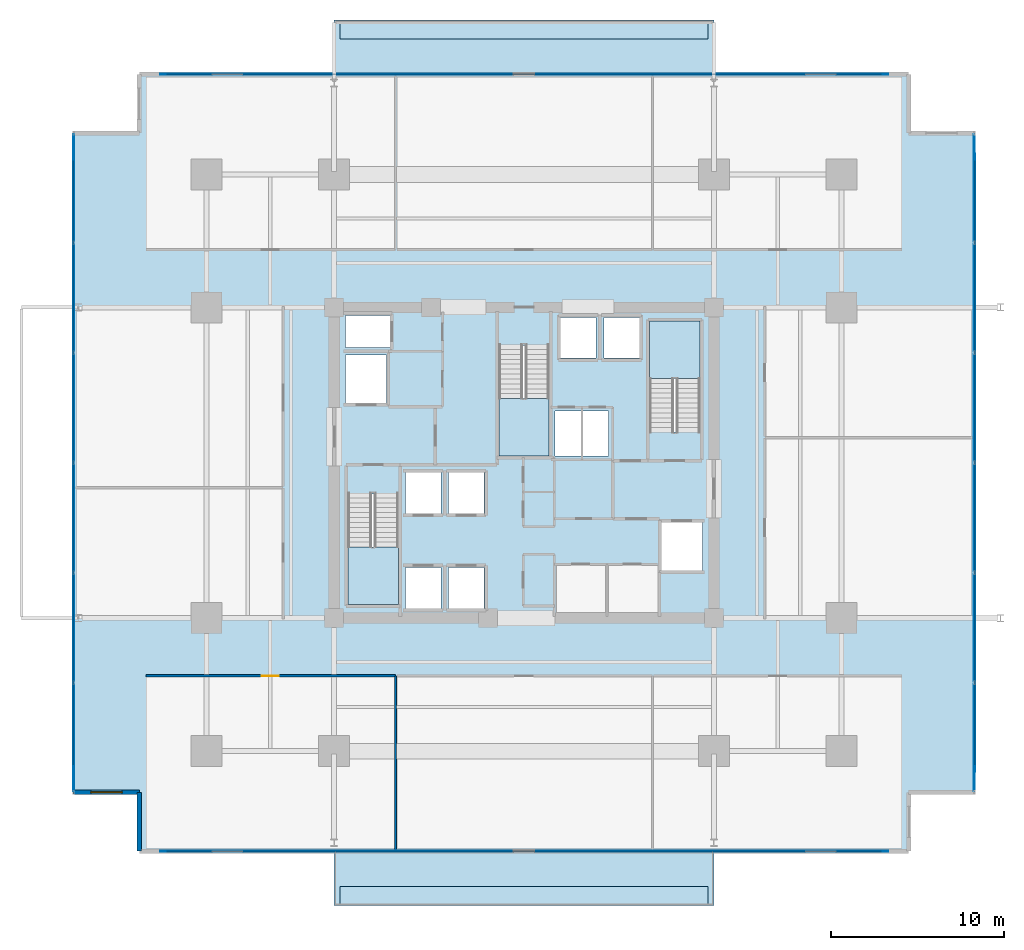
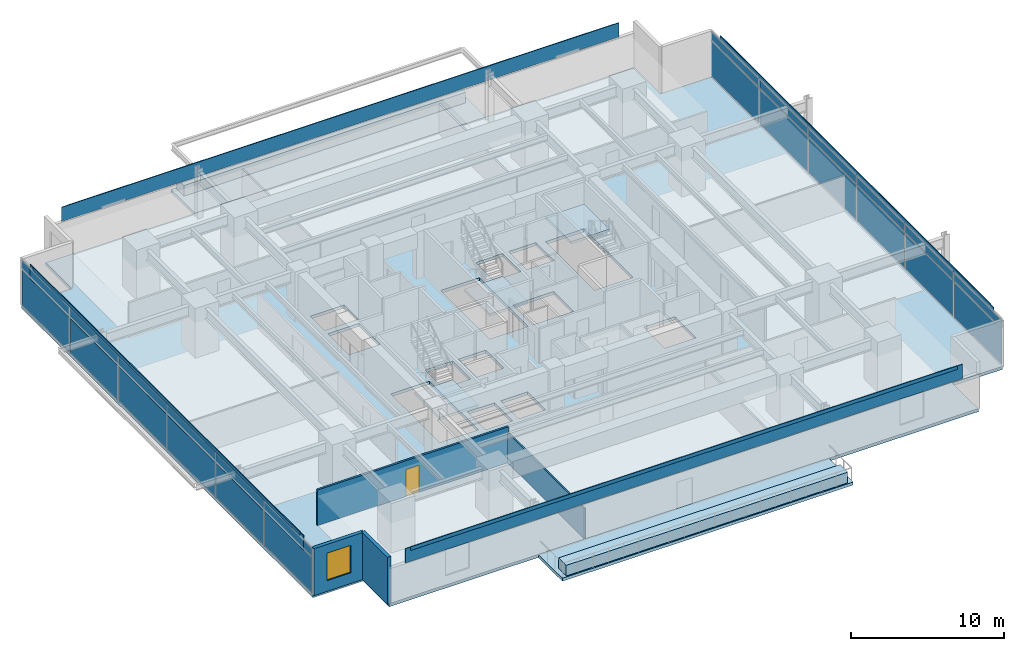
# One storey, part 14 of 22: 32 plates, 8 slabs, 4 walls, 1 door, 1 window, 2 openings, 5 elements without a shape of their own.
"""IFC4 building model written with IfcOpenShell, lengths in metres."""

from ifc_helpers import new_model, si_unit, direction, frame, frame_2d, origin, origin_2d, place, context, subcontext, project, spatial, polyline, rectangle, outline, extrude, material, layer, layer_set, type_object, element, fill, aggregate, save


model = new_model("IFC4")

# Units and contexts
model_context = context("Model", 3, precision=1e-05, world=origin(), true_north=direction((0.0, 1.0)))
body_context = subcontext(model_context, "Body", "Model", "MODEL_VIEW")
ifc_project = project(units=[si_unit("LENGTHUNIT", "METRE"), si_unit("AREAUNIT", "SQUARE_METRE"), si_unit("VOLUMEUNIT", "CUBIC_METRE"), si_unit("PLANEANGLEUNIT", "RADIAN"), si_unit("MASSUNIT", "GRAM", prefix="KILO")], contexts=[model_context])

# Site, building, storey
site_placement = place(None, origin())
site = spatial("IfcSite", under=ifc_project, at=site_placement, CompositionType="ELEMENT")
building_placement = place(site_placement, origin())
building = spatial("IfcBuilding", under=site, at=building_placement, Name="Kovane Verandah Tower", CompositionType="ELEMENT")
storey_placement = place(building_placement, frame((0.0, 0.0, 71.60009765625)))
storey = spatial("IfcBuildingStorey", under=building, at=storey_placement, Name="L16", CompositionType="ELEMENT", Elevation=71.60009765625)

# Curtain wall, plates
ifc_material_1 = material(Name="Champagne Anodised Aluminium Frame with Low-E Clear Laminated Glass", Category="aluminium")
curtain_wall_type = type_object("IfcCurtainWallType", Name="CW-SYS-02-LOW", PredefinedType="NOTDEFINED", material=ifc_material_1)
curtain_wall_1_placement = place(storey_placement, origin())
curtain_wall_1 = element("IfcCurtainWall", 1, at=curtain_wall_1_placement, inside=storey, type_object=curtain_wall_type, Name="L16 E Unitised Curtain Wall", PredefinedType="NOTDEFINED")
ifc_material_2 = material(Name="Pale Champagne Anodised Aluminium Insulated Spandrel", Category="aluminium")
ifc_layer_1 = layer(ifc_material_2, 0.0400390625)
ifc_layer_set_1 = layer_set([ifc_layer_1], Name="Pale Champagne Anodised Aluminium Insulated Spandrel")
plate_type_1 = type_object("IfcPlateType", Name="PL-CW-SPD-40", PredefinedType="SHEET", material=ifc_layer_set_1)
plate_1_placement = place(storey_placement, frame((66.08642578125, 11.5830078125, 3.02978515625), z_axis=(0.0, 0.0, 1.0), x_axis=(0.0, 1.0, 0.0)))
plate_1 = element("IfcPlate", 2, at=plate_1_placement, type_object=plate_type_1, Name="L16 E Unitised Curtain Wall Spandrel Panel 1", PredefinedType="SHEET", context=body_context, shape_type="SweptSolid", body=[
    extrude(rectangle(XDim=6.226806640625, YDim=0.0400390625, at=origin_2d()), origin(), (0.0, 0.0, 1.0), 0.639892578125),
])
plate_2_placement = place(storey_placement, frame((66.08642578125, 17.94970703125, 3.02978515625), z_axis=(0.0, 0.0, 1.0), x_axis=(0.0, 1.0, 0.0)))
plate_2 = element("IfcPlate", 3, at=plate_2_placement, type_object=plate_type_1, Name="L16 E Unitised Curtain Wall Spandrel Panel 2", PredefinedType="SHEET", context=body_context, shape_type="SweptSolid", body=[
    extrude(rectangle(XDim=6.226806640625, YDim=0.0400390625, at=origin_2d()), origin(), (0.0, 0.0, 1.0), 0.639892578125),
])
plate_3_placement = place(storey_placement, frame((66.08642578125, 24.316650390625, 3.02978515625), z_axis=(0.0, 0.0, 1.0), x_axis=(0.0, 1.0, 0.0)))
plate_3 = element("IfcPlate", 4, at=plate_3_placement, type_object=plate_type_1, Name="L16 E Unitised Curtain Wall Spandrel Panel 3", PredefinedType="SHEET", context=body_context, shape_type="SweptSolid", body=[
    extrude(rectangle(XDim=6.226806640625, YDim=0.0400390625, at=origin_2d()), origin(), (0.0, 0.0, 1.0), 0.639892578125),
])
plate_4_placement = place(storey_placement, frame((66.08642578125, 30.683349609375, 3.02978515625), z_axis=(0.0, 0.0, 1.0), x_axis=(0.0, 1.0, 0.0)))
plate_4 = element("IfcPlate", 5, at=plate_4_placement, type_object=plate_type_1, Name="L16 E Unitised Curtain Wall Spandrel Panel 4", PredefinedType="SHEET", context=body_context, shape_type="SweptSolid", body=[
    extrude(rectangle(XDim=6.226806640625, YDim=0.0400390625, at=origin_2d()), origin(), (0.0, 0.0, 1.0), 0.639892578125),
])
plate_5_placement = place(storey_placement, frame((66.08642578125, 37.05029296875, 3.02978515625), z_axis=(0.0, 0.0, 1.0), x_axis=(0.0, 1.0, 0.0)))
plate_5 = element("IfcPlate", 6, at=plate_5_placement, type_object=plate_type_1, Name="L16 E Unitised Curtain Wall Spandrel Panel 5", PredefinedType="SHEET", context=body_context, shape_type="SweptSolid", body=[
    extrude(rectangle(XDim=6.226806640625, YDim=0.0400390625, at=origin_2d()), origin(), (0.0, 0.0, 1.0), 0.639892578125),
])
plate_6_placement = place(storey_placement, frame((66.08642578125, 43.4169921875, 3.02978515625), z_axis=(0.0, 0.0, 1.0), x_axis=(0.0, 1.0, 0.0)))
plate_6 = element("IfcPlate", 7, at=plate_6_placement, type_object=plate_type_1, Name="L16 E Unitised Curtain Wall Spandrel Panel 6", PredefinedType="SHEET", context=body_context, shape_type="SweptSolid", body=[
    extrude(rectangle(XDim=6.226806640625, YDim=0.0400390625, at=origin_2d()), origin(), (0.0, 0.0, 1.0), 0.639892578125),
])

curtain_wall_2_placement = place(storey_placement, origin())
curtain_wall_2 = element("IfcCurtainWall", 8, at=curtain_wall_2_placement, inside=storey, type_object=curtain_wall_type, Name="L16 W Unitised Curtain Wall", PredefinedType="NOTDEFINED")
plate_7_placement = place(storey_placement, frame((13.91357421875, 43.4169921875, 3.02978515625), z_axis=(0.0, 0.0, 1.0), x_axis=(0.0, -1.0, 0.0)))
plate_7 = element("IfcPlate", 9, at=plate_7_placement, type_object=plate_type_1, Name="L16 W Unitised Curtain Wall Spandrel Panel 1", PredefinedType="SHEET", context=body_context, shape_type="SweptSolid", body=[
    extrude(rectangle(XDim=6.226806640625, YDim=0.0400390625, at=origin_2d()), origin(), (0.0, 0.0, 1.0), 0.639892578125),
])
plate_8_placement = place(storey_placement, frame((13.91357421875, 37.05029296875, 3.02978515625), z_axis=(0.0, 0.0, 1.0), x_axis=(0.0, -1.0, 0.0)))
plate_8 = element("IfcPlate", 10, at=plate_8_placement, type_object=plate_type_1, Name="L16 W Unitised Curtain Wall Spandrel Panel 2", PredefinedType="SHEET", context=body_context, shape_type="SweptSolid", body=[
    extrude(rectangle(XDim=6.226806640625, YDim=0.0400390625, at=origin_2d()), origin(), (0.0, 0.0, 1.0), 0.639892578125),
])
plate_9_placement = place(storey_placement, frame((13.91357421875, 30.683349609375, 3.02978515625), z_axis=(0.0, 0.0, 1.0), x_axis=(0.0, -1.0, 0.0)))
plate_9 = element("IfcPlate", 11, at=plate_9_placement, type_object=plate_type_1, Name="L16 W Unitised Curtain Wall Spandrel Panel 3", PredefinedType="SHEET", context=body_context, shape_type="SweptSolid", body=[
    extrude(rectangle(XDim=6.226806640625, YDim=0.0400390625, at=origin_2d()), origin(), (0.0, 0.0, 1.0), 0.639892578125),
])
plate_10_placement = place(storey_placement, frame((13.91357421875, 24.316650390625, 3.02978515625), z_axis=(0.0, 0.0, 1.0), x_axis=(0.0, -1.0, 0.0)))
plate_10 = element("IfcPlate", 12, at=plate_10_placement, type_object=plate_type_1, Name="L16 W Unitised Curtain Wall Spandrel Panel 4", PredefinedType="SHEET", context=body_context, shape_type="SweptSolid", body=[
    extrude(rectangle(XDim=6.226806640625, YDim=0.0400390625, at=origin_2d()), origin(), (0.0, 0.0, 1.0), 0.639892578125),
])
plate_11_placement = place(storey_placement, frame((13.91357421875, 17.94970703125, 3.02978515625), z_axis=(0.0, 0.0, 1.0), x_axis=(0.0, -1.0, 0.0)))
plate_11 = element("IfcPlate", 13, at=plate_11_placement, type_object=plate_type_1, Name="L16 W Unitised Curtain Wall Spandrel Panel 5", PredefinedType="SHEET", context=body_context, shape_type="SweptSolid", body=[
    extrude(rectangle(XDim=6.226806640625, YDim=0.0400390625, at=origin_2d()), origin(), (0.0, 0.0, 1.0), 0.639892578125),
])
plate_12_placement = place(storey_placement, frame((13.91357421875, 11.5830078125, 3.02978515625), z_axis=(0.0, 0.0, 1.0), x_axis=(0.0, -1.0, 0.0)))
plate_12 = element("IfcPlate", 14, at=plate_12_placement, type_object=plate_type_1, Name="L16 W Unitised Curtain Wall Spandrel Panel 6", PredefinedType="SHEET", context=body_context, shape_type="SweptSolid", body=[
    extrude(rectangle(XDim=6.226806640625, YDim=0.0400390625, at=origin_2d()), origin(), (0.0, 0.0, 1.0), 0.639892578125),
])

# Plate
ifc_material_3 = material(Name="Clear Low-E Laminated Double Glazing", Category="glass")
ifc_layer_2 = layer(ifc_material_3, 0.031982421875)
ifc_layer_set_2 = layer_set([ifc_layer_2], Name="Clear Low-E Laminated Double Glazing")
plate_type_2 = type_object("IfcPlateType", Name="PL-CW-VIS-32", PredefinedType="CURTAIN_PANEL", material=ifc_layer_set_2)
plate_13_placement = place(storey_placement, frame((66.08642578125, 11.5830078125, 0.099853515625), z_axis=(0.0, 0.0, 1.0), x_axis=(0.0, 1.0, 0.0)))
plate_13 = element("IfcPlate", 15, at=plate_13_placement, type_object=plate_type_2, Name="L16 E Unitised Curtain Wall Vision Panel 1", PredefinedType="CURTAIN_PANEL", context=body_context, shape_type="SweptSolid", body=[
    extrude(rectangle(XDim=6.226806640625, YDim=0.031982421875, at=origin_2d()), origin(), (0.0, 0.0, 1.0), 2.830078125),
])

plate_14_placement = place(storey_placement, frame((66.08642578125, 17.94970703125, 0.099853515625), z_axis=(0.0, 0.0, 1.0), x_axis=(0.0, 1.0, 0.0)))
plate_14 = element("IfcPlate", 16, at=plate_14_placement, type_object=plate_type_2, Name="L16 E Unitised Curtain Wall Vision Panel 2", PredefinedType="CURTAIN_PANEL", context=body_context, shape_type="SweptSolid", body=[
    extrude(rectangle(XDim=6.226806640625, YDim=0.031982421875, at=origin_2d()), origin(), (0.0, 0.0, 1.0), 2.830078125),
])

plate_15_placement = place(storey_placement, frame((66.08642578125, 24.316650390625, 0.099853515625), z_axis=(0.0, 0.0, 1.0), x_axis=(0.0, 1.0, 0.0)))
plate_15 = element("IfcPlate", 17, at=plate_15_placement, type_object=plate_type_2, Name="L16 E Unitised Curtain Wall Vision Panel 3", PredefinedType="CURTAIN_PANEL", context=body_context, shape_type="SweptSolid", body=[
    extrude(rectangle(XDim=6.226806640625, YDim=0.031982421875, at=origin_2d()), origin(), (0.0, 0.0, 1.0), 2.830078125),
])

plate_16_placement = place(storey_placement, frame((66.08642578125, 30.683349609375, 0.099853515625), z_axis=(0.0, 0.0, 1.0), x_axis=(0.0, 1.0, 0.0)))
plate_16 = element("IfcPlate", 18, at=plate_16_placement, type_object=plate_type_2, Name="L16 E Unitised Curtain Wall Vision Panel 4", PredefinedType="CURTAIN_PANEL", context=body_context, shape_type="SweptSolid", body=[
    extrude(rectangle(XDim=6.226806640625, YDim=0.031982421875, at=origin_2d()), origin(), (0.0, 0.0, 1.0), 2.830078125),
])

plate_17_placement = place(storey_placement, frame((66.08642578125, 37.05029296875, 0.099853515625), z_axis=(0.0, 0.0, 1.0), x_axis=(0.0, 1.0, 0.0)))
plate_17 = element("IfcPlate", 19, at=plate_17_placement, type_object=plate_type_2, Name="L16 E Unitised Curtain Wall Vision Panel 5", PredefinedType="CURTAIN_PANEL", context=body_context, shape_type="SweptSolid", body=[
    extrude(rectangle(XDim=6.226806640625, YDim=0.031982421875, at=origin_2d()), origin(), (0.0, 0.0, 1.0), 2.830078125),
])

plate_18_placement = place(storey_placement, frame((66.08642578125, 43.4169921875, 0.099853515625), z_axis=(0.0, 0.0, 1.0), x_axis=(0.0, 1.0, 0.0)))
plate_18 = element("IfcPlate", 20, at=plate_18_placement, type_object=plate_type_2, Name="L16 E Unitised Curtain Wall Vision Panel 6", PredefinedType="CURTAIN_PANEL", context=body_context, shape_type="SweptSolid", body=[
    extrude(rectangle(XDim=6.226806640625, YDim=0.031982421875, at=origin_2d()), origin(), (0.0, 0.0, 1.0), 2.830078125),
])

aggregate(curtain_wall_1, [plate_13, plate_1, plate_14, plate_2, plate_15, plate_3, plate_16, plate_4, plate_17, plate_5, plate_18, plate_6])

plate_19_placement = place(storey_placement, frame((13.91357421875, 43.4169921875, 0.099853515625), z_axis=(0.0, 0.0, 1.0), x_axis=(0.0, -1.0, 0.0)))
plate_19 = element("IfcPlate", 21, at=plate_19_placement, type_object=plate_type_2, Name="L16 W Unitised Curtain Wall Vision Panel 1", PredefinedType="CURTAIN_PANEL", context=body_context, shape_type="SweptSolid", body=[
    extrude(rectangle(XDim=6.226806640625, YDim=0.031982421875, at=origin_2d()), origin(), (0.0, 0.0, 1.0), 2.830078125),
])

plate_20_placement = place(storey_placement, frame((13.91357421875, 37.05029296875, 0.099853515625), z_axis=(0.0, 0.0, 1.0), x_axis=(0.0, -1.0, 0.0)))
plate_20 = element("IfcPlate", 22, at=plate_20_placement, type_object=plate_type_2, Name="L16 W Unitised Curtain Wall Vision Panel 2", PredefinedType="CURTAIN_PANEL", context=body_context, shape_type="SweptSolid", body=[
    extrude(rectangle(XDim=6.226806640625, YDim=0.031982421875, at=origin_2d()), origin(), (0.0, 0.0, 1.0), 2.830078125),
])

plate_21_placement = place(storey_placement, frame((13.91357421875, 30.683349609375, 0.099853515625), z_axis=(0.0, 0.0, 1.0), x_axis=(0.0, -1.0, 0.0)))
plate_21 = element("IfcPlate", 23, at=plate_21_placement, type_object=plate_type_2, Name="L16 W Unitised Curtain Wall Vision Panel 3", PredefinedType="CURTAIN_PANEL", context=body_context, shape_type="SweptSolid", body=[
    extrude(rectangle(XDim=6.226806640625, YDim=0.031982421875, at=origin_2d()), origin(), (0.0, 0.0, 1.0), 2.830078125),
])

plate_22_placement = place(storey_placement, frame((13.91357421875, 24.316650390625, 0.099853515625), z_axis=(0.0, 0.0, 1.0), x_axis=(0.0, -1.0, 0.0)))
plate_22 = element("IfcPlate", 24, at=plate_22_placement, type_object=plate_type_2, Name="L16 W Unitised Curtain Wall Vision Panel 4", PredefinedType="CURTAIN_PANEL", context=body_context, shape_type="SweptSolid", body=[
    extrude(rectangle(XDim=6.226806640625, YDim=0.031982421875, at=origin_2d()), origin(), (0.0, 0.0, 1.0), 2.830078125),
])

plate_23_placement = place(storey_placement, frame((13.91357421875, 17.94970703125, 0.099853515625), z_axis=(0.0, 0.0, 1.0), x_axis=(0.0, -1.0, 0.0)))
plate_23 = element("IfcPlate", 25, at=plate_23_placement, type_object=plate_type_2, Name="L16 W Unitised Curtain Wall Vision Panel 5", PredefinedType="CURTAIN_PANEL", context=body_context, shape_type="SweptSolid", body=[
    extrude(rectangle(XDim=6.226806640625, YDim=0.031982421875, at=origin_2d()), origin(), (0.0, 0.0, 1.0), 2.830078125),
])

plate_24_placement = place(storey_placement, frame((13.91357421875, 11.5830078125, 0.099853515625), z_axis=(0.0, 0.0, 1.0), x_axis=(0.0, -1.0, 0.0)))
plate_24 = element("IfcPlate", 26, at=plate_24_placement, type_object=plate_type_2, Name="L16 W Unitised Curtain Wall Vision Panel 6", PredefinedType="CURTAIN_PANEL", context=body_context, shape_type="SweptSolid", body=[
    extrude(rectangle(XDim=6.226806640625, YDim=0.031982421875, at=origin_2d()), origin(), (0.0, 0.0, 1.0), 2.830078125),
])

aggregate(curtain_wall_2, [plate_19, plate_7, plate_20, plate_8, plate_21, plate_9, plate_22, plate_10, plate_23, plate_11, plate_24, plate_12])

# Plates
ifc_material_4 = material(Name="Perforated Pale Champagne Anodised Aluminium Solar Screen", Category="aluminium")
ifc_layer_3 = layer(ifc_material_4, 0.050048828125)
ifc_layer_set_3 = layer_set([ifc_layer_3], Name="Perforated Pale Champagne Anodised Aluminium Solar Screen")
plate_type_3 = type_object("IfcPlateType", Name="PL-SCREEN-50", PredefinedType="USERDEFINED", material=ifc_layer_set_3)
plate_25_placement = place(storey_placement, frame((40.0, 4.984619140625, 2.85986328125), z_axis=(0.0, 0.0, 1.0), x_axis=(1.0, 0.0, 0.0)))
element("IfcPlate", 27, at=plate_25_placement, inside=storey, type_object=plate_type_3, Name="L16 S Perforated Champagne-Gold Solar Screen", ObjectType="SCREEN", PredefinedType="USERDEFINED", context=body_context, shape_type="SweptSolid", body=[
    extrude(rectangle(XDim=42.173095703125, YDim=0.050048828125, at=origin_2d()), origin(), (0.0, 0.0, 1.0), 1.14990234375),
])
plate_26_placement = place(storey_placement, frame((66.101318359375, 27.5, 2.85986328125), z_axis=(0.0, 0.0, 1.0), x_axis=(0.0, 1.0, 0.0)))
element("IfcPlate", 28, at=plate_26_placement, inside=storey, type_object=plate_type_3, Name="L16 E Perforated Champagne-Gold Solar Screen", ObjectType="SCREEN", PredefinedType="USERDEFINED", context=body_context, shape_type="SweptSolid", body=[
    extrude(rectangle(XDim=35.801025390625, YDim=0.050048828125, at=origin_2d()), origin(), (0.0, 0.0, 1.0), 1.14990234375),
])
plate_27_placement = place(storey_placement, frame((40.0, 50.015380859375, 2.85986328125), z_axis=(0.0, 0.0, 1.0), x_axis=(-1.0, 0.0, 0.0)))
element("IfcPlate", 29, at=plate_27_placement, inside=storey, type_object=plate_type_3, Name="L16 N Perforated Champagne-Gold Solar Screen", ObjectType="SCREEN", PredefinedType="USERDEFINED", context=body_context, shape_type="SweptSolid", body=[
    extrude(rectangle(XDim=42.173095703125, YDim=0.050048828125, at=origin_2d()), origin(), (0.0, 0.0, 1.0), 1.14990234375),
])
plate_28_placement = place(storey_placement, frame((13.898681640625, 27.5, 2.85986328125), z_axis=(0.0, 0.0, 1.0), x_axis=(0.0, -1.0, 0.0)))
element("IfcPlate", 30, at=plate_28_placement, inside=storey, type_object=plate_type_3, Name="L16 W Perforated Champagne-Gold Solar Screen", ObjectType="SCREEN", PredefinedType="USERDEFINED", context=body_context, shape_type="SweptSolid", body=[
    extrude(rectangle(XDim=35.801025390625, YDim=0.050048828125, at=origin_2d()), origin(), (0.0, 0.0, 1.0), 1.14990234375),
])
ifc_material_5 = material(Name="Extruded Pale-Bronze Aluminium Aerofoil Sunshade", Category="aluminium")
ifc_layer_4 = layer(ifc_material_5, 0.06005859375)
ifc_layer_set_4 = layer_set([ifc_layer_4], Name="Extruded Pale-Bronze Aluminium Aerofoil Sunshade")
plate_type_4 = type_object("IfcPlateType", Name="PL-SUNSHADE-60", PredefinedType="USERDEFINED", material=ifc_layer_set_4)
plate_29_placement = place(storey_placement, frame((40.0, 4.9794921875, 3.73974609375), z_axis=(0.0, 0.0, 1.0), x_axis=(1.0, 0.0, 0.0)))
element("IfcPlate", 31, at=plate_29_placement, inside=storey, type_object=plate_type_4, Name="L16 S Subtropical Aerofoil Sunshade", ObjectType="SUNSHADE", PredefinedType="USERDEFINED", context=body_context, shape_type="SweptSolid", body=[
    extrude(rectangle(XDim=41.373046875, YDim=0.06005859375, at=origin_2d()), origin(), (0.0, 0.0, 1.0), 0.280029296875),
])
plate_30_placement = place(storey_placement, frame((66.1064453125, 27.5, 3.73974609375), z_axis=(0.0, 0.0, 1.0), x_axis=(0.0, 1.0, 0.0)))
element("IfcPlate", 32, at=plate_30_placement, inside=storey, type_object=plate_type_4, Name="L16 E Subtropical Aerofoil Sunshade", ObjectType="SUNSHADE", PredefinedType="USERDEFINED", context=body_context, shape_type="SweptSolid", body=[
    extrude(rectangle(XDim=35.0009765625, YDim=0.06005859375, at=origin_2d()), origin(), (0.0, 0.0, 1.0), 0.280029296875),
])
plate_31_placement = place(storey_placement, frame((40.0, 50.0205078125, 3.73974609375), z_axis=(0.0, 0.0, 1.0), x_axis=(-1.0, 0.0, 0.0)))
element("IfcPlate", 33, at=plate_31_placement, inside=storey, type_object=plate_type_4, Name="L16 N Subtropical Aerofoil Sunshade", ObjectType="SUNSHADE", PredefinedType="USERDEFINED", context=body_context, shape_type="SweptSolid", body=[
    extrude(rectangle(XDim=41.373046875, YDim=0.06005859375, at=origin_2d()), origin(), (0.0, 0.0, 1.0), 0.280029296875),
])
plate_32_placement = place(storey_placement, frame((13.8935546875, 27.5, 3.73974609375), z_axis=(0.0, 0.0, 1.0), x_axis=(0.0, -1.0, 0.0)))
element("IfcPlate", 34, at=plate_32_placement, inside=storey, type_object=plate_type_4, Name="L16 W Subtropical Aerofoil Sunshade", ObjectType="SUNSHADE", PredefinedType="USERDEFINED", context=body_context, shape_type="SweptSolid", body=[
    extrude(rectangle(XDim=35.0009765625, YDim=0.06005859375, at=origin_2d()), origin(), (0.0, 0.0, 1.0), 0.280029296875),
])

# Slabs
ifc_material_6 = material(Name="Concrete C45/55", Category="concrete")
ifc_layer_5 = layer(ifc_material_6, 0.239990234375)
ifc_layer_set_5 = layer_set([ifc_layer_5], Name="Concrete C45/55")
slab_type_1 = type_object("IfcSlabType", Name="SL-BALC-240", PredefinedType="FLOOR", material=ifc_layer_set_5)
slab_1_placement = place(storey_placement, frame((0.0, 0.0, -0.239990234375)))
element("IfcSlab", 35, at=slab_1_placement, inside=storey, type_object=slab_type_1, Name="L16 N Planted Verandah Balcony Slab", PredefinedType="FLOOR", context=body_context, shape_type="SweptSolid", body=[
    extrude(outline(polyline([(29.0, 50.00048828125), (51.0, 50.00048828125), (51.0, 53.150390625), (29.0, 53.150390625), (29.0, 50.00048828125)])), origin(), (0.0, 0.0, 1.0), 0.239990234375),
])
slab_2_placement = place(storey_placement, frame((0.0, 0.0, -0.239990234375)))
element("IfcSlab", 36, at=slab_2_placement, inside=storey, type_object=slab_type_1, Name="L16 S Planted Verandah Balcony Slab", PredefinedType="FLOOR", context=body_context, shape_type="SweptSolid", body=[
    extrude(outline(polyline([(29.0, 1.849609375), (51.0, 1.849609375), (51.0, 4.99951171875), (29.0, 4.99951171875), (29.0, 1.849609375)])), origin(), (0.0, 0.0, 1.0), 0.239990234375),
])

# Stair, slab
stair_type = type_object("IfcStairType", Name="ST-CORE-1380", PredefinedType="HALF_TURN_STAIR", material=ifc_material_6)
stair_1_placement = place(storey_placement, origin())
stair_1 = element("IfcStair", 37, at=stair_1_placement, inside=storey, type_object=stair_type, Name="L16 Exit Stair ST-01", PredefinedType="HALF_TURN_STAIR")
ifc_layer_6 = layer(ifc_material_6, 0.199951171875)
ifc_layer_set_6 = layer_set([ifc_layer_6], Name="Concrete C45/55")
slab_type_2 = type_object("IfcSlabType", Name="SL-LAND-200", PredefinedType="LANDING", material=ifc_layer_set_6)
slab_3_placement = place(storey_placement, frame((0.0, 0.0, 1.7998046875)))
slab_3 = element("IfcSlab", 38, at=slab_3_placement, type_object=slab_type_2, Name="ST-01 landing 1", PredefinedType="LANDING", context=body_context, shape_type="SweptSolid", body=[
    extrude(outline(polyline([(29.800048828125, 22.614990234375), (29.800048828125, 19.300048828125), (32.719970703125, 19.300048828125), (32.719970703125, 22.614990234375), (29.800048828125, 22.614990234375)])), origin(), (0.0, 0.0, 1.0), 0.2001953125),
])
aggregate(stair_1, [slab_3])

stair_2_placement = place(storey_placement, origin())
stair_2 = element("IfcStair", 39, at=stair_2_placement, inside=storey, type_object=stair_type, Name="L16 Exit Stair ST-02", PredefinedType="HALF_TURN_STAIR")
slab_4_placement = place(storey_placement, frame((0.0, 0.0, 1.7998046875)))
slab_4 = element("IfcSlab", 40, at=slab_4_placement, type_object=slab_type_2, Name="ST-02 landing 1", PredefinedType="LANDING", context=body_context, shape_type="SweptSolid", body=[
    extrude(outline(polyline([(50.199951171875, 32.385009765625), (50.199951171875, 35.699951171875), (47.280029296875, 35.699951171875), (47.280029296875, 32.385009765625), (50.199951171875, 32.385009765625)])), origin(), (0.0, 0.0, 1.0), 0.2001953125),
])
aggregate(stair_2, [slab_4])

stair_3_placement = place(storey_placement, origin())
stair_3 = element("IfcStair", 41, at=stair_3_placement, inside=storey, type_object=stair_type, Name="L16 Exit Stair ST-03", PredefinedType="HALF_TURN_STAIR")
slab_5_placement = place(storey_placement, frame((0.0, 0.0, 1.7998046875)))
slab_5 = element("IfcSlab", 42, at=slab_5_placement, type_object=slab_type_2, Name="ST-03 landing 1", PredefinedType="LANDING", context=body_context, shape_type="SweptSolid", body=[
    extrude(outline(polyline([(38.5400390625, 31.215087890625), (38.5400390625, 27.89990234375), (41.4599609375, 27.89990234375), (41.4599609375, 31.215087890625), (38.5400390625, 31.215087890625)])), origin(), (0.0, 0.0, 1.0), 0.2001953125),
])
aggregate(stair_3, [slab_5])

# Slabs
ifc_material_7 = material(Name="Architectural Precast Concrete C45/55 Planter Trough", Category="concrete")
ifc_layer_7 = layer(ifc_material_7, 0.219970703125)
ifc_layer_set_7 = layer_set([ifc_layer_7], Name="Architectural Precast Concrete C45/55 Planter Trough")
slab_type_3 = type_object("IfcSlabType", Name="SL-PLANTER-220", PredefinedType="USERDEFINED", material=ifc_layer_set_7)
slab_6_placement = place(storey_placement, origin())
element("IfcSlab", 43, at=slab_6_placement, inside=storey, type_object=slab_type_3, Name="L16 N Structural Tree Planter", ObjectType="PLANTER", PredefinedType="USERDEFINED", context=body_context, shape_type="SweptSolid", body=[
    extrude(outline(polyline([(29.35009765625, 52.050537109375), (50.64990234375, 52.050537109375), (50.64990234375, 53.050537109375), (29.35009765625, 53.050537109375), (29.35009765625, 52.050537109375)])), origin(), (0.0, 0.0, 1.0), 0.849853515625),
])
slab_7_placement = place(storey_placement, origin())
element("IfcSlab", 44, at=slab_7_placement, inside=storey, type_object=slab_type_3, Name="L16 S Structural Tree Planter", ObjectType="PLANTER", PredefinedType="USERDEFINED", context=body_context, shape_type="SweptSolid", body=[
    extrude(outline(polyline([(29.35009765625, 1.949462890625), (50.64990234375, 1.949462890625), (50.64990234375, 2.949462890625), (29.35009765625, 2.949462890625), (29.35009765625, 1.949462890625)])), origin(), (0.0, 0.0, 1.0), 0.849853515625),
])
ifc_layer_8 = layer(ifc_material_6, 0.239990234375)
ifc_layer_set_8 = layer_set([ifc_layer_8], Name="Concrete C45/55")
slab_type_4 = type_object("IfcSlabType", Name="SL-TYP-240", PredefinedType="FLOOR", material=ifc_layer_set_8)
slab_8_placement = place(storey_placement, frame((0.0, 0.0, -0.239990234375)))
element("IfcSlab", 45, at=slab_8_placement, inside=storey, type_object=slab_type_4, Name="L16 Structural Floor Slab", PredefinedType="FLOOR", context=body_context, shape_type="SweptSolid", body=[
    extrude(outline(polyline([(17.713623046875, 4.99951171875), (62.286376953125, 4.99951171875), (62.286376953125, 8.3994140625), (66.08642578125, 8.3994140625), (66.08642578125, 46.6005859375), (62.286376953125, 46.6005859375), (62.286376953125, 50.00048828125), (17.713623046875, 50.00048828125), (17.713623046875, 46.6005859375), (13.91357421875, 46.6005859375), (13.91357421875, 8.3994140625), (17.713623046875, 8.3994140625), (17.713623046875, 4.99951171875)]), holes=[polyline([(29.800048828125, 19.300048828125), (32.719970703125, 19.300048828125), (32.719970703125, 25.705078125), (29.800048828125, 25.705078125), (29.800048828125, 19.300048828125)]), polyline([(47.280029296875, 29.294921875), (50.199951171875, 29.294921875), (50.199951171875, 35.699951171875), (47.280029296875, 35.699951171875), (47.280029296875, 29.294921875)]), polyline([(38.5400390625, 27.89990234375), (41.4599609375, 27.89990234375), (41.4599609375, 34.304931640625), (38.5400390625, 34.304931640625), (38.5400390625, 27.89990234375)]), polyline([(29.669921875, 30.969970703125), (32.030029296875, 30.969970703125), (32.030029296875, 33.72998046875), (29.669921875, 33.72998046875), (29.669921875, 30.969970703125)]), polyline([(47.969970703125, 21.27001953125), (50.330078125, 21.27001953125), (50.330078125, 24.030029296875), (47.969970703125, 24.030029296875), (47.969970703125, 21.27001953125)]), polyline([(29.669921875, 34.169921875), (32.22998046875, 34.169921875), (32.22998046875, 36.030029296875), (29.669921875, 36.030029296875), (29.669921875, 34.169921875)]), polyline([(33.1201171875, 19.070068359375), (35.179931640625, 19.070068359375), (35.179931640625, 21.429931640625), (33.1201171875, 21.429931640625), (33.1201171875, 19.070068359375)]), polyline([(35.6201171875, 19.070068359375), (37.679931640625, 19.070068359375), (37.679931640625, 21.429931640625), (35.6201171875, 21.429931640625), (35.6201171875, 19.070068359375)]), polyline([(33.1201171875, 24.570068359375), (35.179931640625, 24.570068359375), (35.179931640625, 26.929931640625), (33.1201171875, 26.929931640625), (33.1201171875, 24.570068359375)]), polyline([(35.6201171875, 24.570068359375), (37.679931640625, 24.570068359375), (37.679931640625, 26.929931640625), (35.6201171875, 26.929931640625), (35.6201171875, 24.570068359375)]), polyline([(42.1201171875, 33.570068359375), (44.179931640625, 33.570068359375), (44.179931640625, 35.929931640625), (42.1201171875, 35.929931640625), (42.1201171875, 33.570068359375)]), polyline([(44.6201171875, 33.570068359375), (46.679931640625, 33.570068359375), (46.679931640625, 35.929931640625), (44.6201171875, 35.929931640625), (44.6201171875, 33.570068359375)]), polyline([(41.800048828125, 27.89990234375), (44.89990234375, 27.89990234375), (44.89990234375, 30.5), (41.800048828125, 30.5), (41.800048828125, 27.89990234375)])]), origin(), (0.0, 0.0, 1.0), 0.239990234375),
])

# Wall, opening, door
ifc_material_8 = material(Name="Fire-Rated Gypsum Stud Partition", Category="gypsum")
ifc_layer_9 = layer(ifc_material_8, 0.14990234375)
ifc_layer_set_9 = layer_set([ifc_layer_9], Name="Fire-Rated Gypsum Stud Partition")
wall_type_1 = type_object("IfcWallType", Name="WL-COR-150", PredefinedType="PARTITIONING", material=ifc_layer_set_9)
wall_1_placement = place(storey_placement, frame((18.113525390625, 15.14990234375, 0.0), z_axis=(0.0, 0.0, 1.0), x_axis=(1.0, 0.0, 0.0)))
wall_1 = element("IfcWall", 46, at=wall_1_placement, inside=storey, type_object=wall_type_1, Name="L16 Collaboration Hub S1 Corridor Partition", PredefinedType="PARTITIONING", context=body_context, shape_type="SweptSolid", body=[
    extrude(rectangle(XDim=14.445068359375, YDim=0.14990234375, at=frame_2d((7.22265625, 0.0))), origin(), (0.0, 0.0, 1.0), 2.849853515625),
])
opening_1_placement = place(wall_1_placement, frame((6.6875, 0.0, 0.0)))
opening_1 = element("IfcOpeningElement", 47, at=opening_1_placement, cuts=wall_1, Name="Opening DR-L16-022", PredefinedType="OPENING", context=body_context, shape_type="SweptSolid", body=[
    extrude(rectangle(XDim=1.0, YDim=2.14990234375, at=frame_2d((0.5, 1.074951171875))), frame((0.0, 0.074951171875, 0.0), z_axis=(0.0, -1.0, 0.0), x_axis=(1.0, 0.0, 0.0)), (0.0, 0.0, 1.0), 0.14990234375),
])
ifc_material_9 = material(Name="FSC Spotted-Gum Timber Fire-Rated Office Door", Category="wood")
door_type = type_object("IfcDoorType", Name="DR-OFF-1000", OperationType="SINGLE_SWING_LEFT", PredefinedType="DOOR", material=ifc_material_9)
door_placement = place(opening_1_placement, origin())
door = element("IfcDoor", 48, at=door_placement, inside=storey, type_object=door_type, Name="L16 Collaboration Hub S1 Entrance Door", OperationType="SINGLE_SWING_RIGHT", OverallHeight=2.14990234375, OverallWidth=1.0, PredefinedType="DOOR", context=body_context, shape_type="SweptSolid", body=[
    extrude(rectangle(XDim=1.0, YDim=2.14990234375, at=frame_2d((0.5, 1.074951171875))), frame((0.0, 0.02490234375, 0.0), z_axis=(0.0, -1.0, 0.0), x_axis=(1.0, 0.0, 0.0)), (0.0, 0.0, 1.0), 0.050048828125),
])
fill(opening_1, door)

# Wall
ifc_material_10 = material(Name="Acoustic Fire-Rated Gypsum Partition", Category="gypsum")
ifc_layer_10 = layer(ifc_material_10, 0.1201171875)
ifc_layer_set_10 = layer_set([ifc_layer_10], Name="Acoustic Fire-Rated Gypsum Partition")
wall_type_2 = type_object("IfcWallType", Name="WL-PART-120", PredefinedType="PARTITIONING", material=ifc_layer_set_10)
wall_2_placement = place(storey_placement, frame((32.55859375, 5.099609375, 0.0), z_axis=(0.0, 0.0, 1.0), x_axis=(0.0, 1.0, 0.0)))
element("IfcWall", 49, at=wall_2_placement, inside=storey, type_object=wall_type_2, Name="L16 Collaboration Hub S1 Dividing Partition", PredefinedType="PARTITIONING", context=body_context, shape_type="SweptSolid", body=[
    extrude(rectangle(XDim=10.05029296875, YDim=0.1201171875, at=frame_2d((5.025146484375, 0.0))), origin(), (0.0, 0.0, 1.0), 2.389892578125),
])

# Wall, opening, window
ifc_material_11 = material(Name="Concrete C45/55 Insulated Spandrel Wall", Category="concrete")
ifc_layer_11 = layer(ifc_material_11, 0.260009765625)
ifc_layer_set_11 = layer_set([ifc_layer_11], Name="Concrete C45/55 Insulated Spandrel Wall")
wall_type_3 = type_object("IfcWallType", Name="WL-SPANDREL-260", PredefinedType="PARAPET", material=ifc_layer_set_11)
wall_3_placement = place(storey_placement, frame((13.91357421875, 8.3994140625, 0.0), z_axis=(0.0, 0.0, 1.0), x_axis=(1.0, 0.0, 0.0)))
wall_3 = element("IfcWall", 50, at=wall_3_placement, inside=storey, type_object=wall_type_3, Name="L16 SW Notch Cheek Wall 1", PredefinedType="PARAPET", context=body_context, shape_type="SweptSolid", body=[
    extrude(rectangle(XDim=3.800048828125, YDim=0.260009765625, at=frame_2d((1.89990234375, 0.0))), origin(), (0.0, 0.0, 1.0), 3.760009765625),
])
opening_2_placement = place(wall_3_placement, frame((1.0, 0.0, 0.85009765625)))
opening_2 = element("IfcOpeningElement", 51, at=opening_2_placement, cuts=wall_3, Name="Opening W-03", PredefinedType="OPENING", context=body_context, shape_type="SweptSolid", body=[
    extrude(rectangle(XDim=1.800048828125, YDim=2.199951171875, at=frame_2d((0.89990234375, 1.10009765625))), frame((0.0, 0.1298828125, 0.0), z_axis=(0.0, -1.0, 0.0), x_axis=(1.0, 0.0, 0.0)), (0.0, 0.0, 1.0), 0.260009765625),
])
ifc_material_12 = material(Name="Clear Low-E Laminated Double Glazing in Anodised Frame", Category="glass")
window_type = type_object("IfcWindowType", Name="WN-NOTCH-1800x2200", PartitioningType="SINGLE_PANEL", PredefinedType="WINDOW", material=ifc_material_12)
window_placement = place(opening_2_placement, origin())
window = element("IfcWindow", 52, at=window_placement, inside=storey, type_object=window_type, Name="L16 SW Re-Entrant Corner Operable Window", OverallHeight=2.199951171875, OverallWidth=1.800048828125, PartitioningType="SINGLE_PANEL", PredefinedType="WINDOW", context=body_context, shape_type="SweptSolid", body=[
    extrude(rectangle(XDim=1.800048828125, YDim=2.199951171875, at=frame_2d((0.89990234375, 1.10009765625))), frame((0.0, 0.030029296875, 0.0), z_axis=(0.0, -1.0, 0.0), x_axis=(1.0, 0.0, 0.0)), (0.0, 0.0, 1.0), 0.06005859375),
])
fill(opening_2, window)

# Wall
wall_4_placement = place(storey_placement, frame((17.713623046875, 8.3994140625, 0.0), z_axis=(0.0, 0.0, 1.0), x_axis=(0.0, -1.0, 0.0)))
element("IfcWall", 53, at=wall_4_placement, inside=storey, type_object=wall_type_3, Name="L16 SW Notch Cheek Wall 2", PredefinedType="PARAPET", context=body_context, shape_type="SweptSolid", body=[
    extrude(rectangle(XDim=3.39990234375, YDim=0.260009765625, at=frame_2d((1.699951171875, 0.0))), origin(), (0.0, 0.0, 1.0), 3.760009765625),
])

save(model, "model.ifc")
